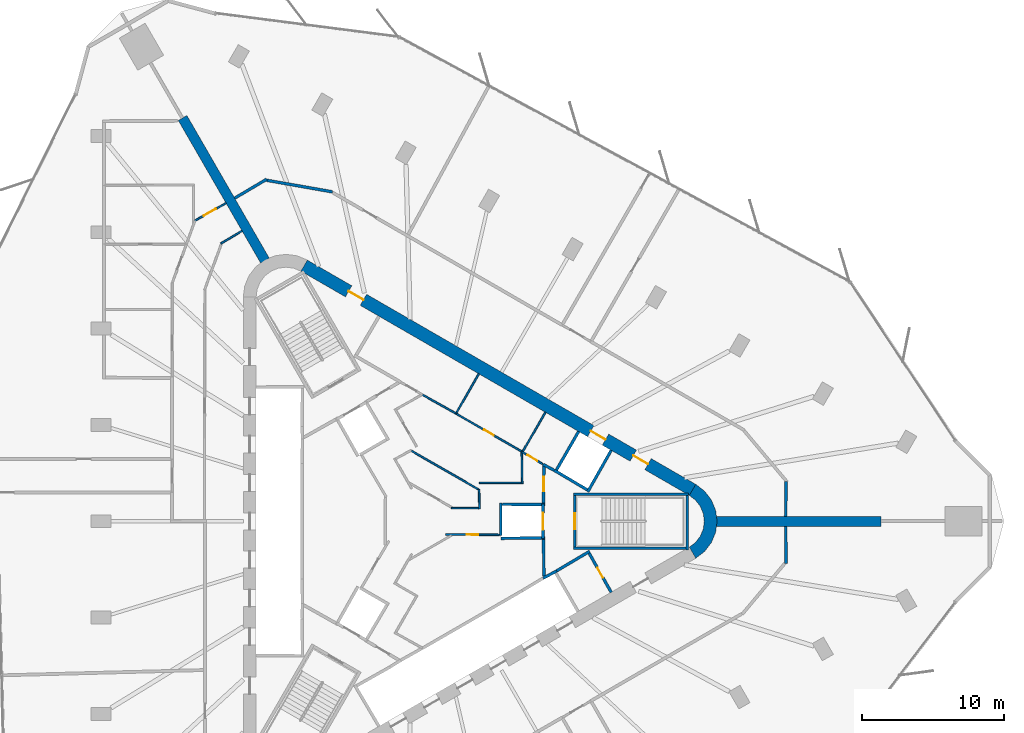
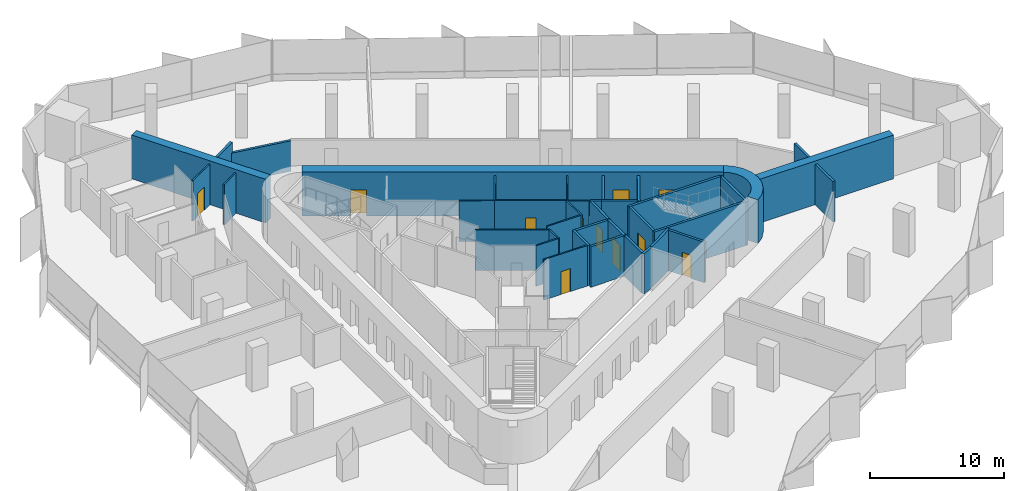
# One storey, part 11 of 14: 38 walls, 11 doors, 11 openings.
"""IFC4 building model written with IfcOpenShell, lengths in metres."""

from ifc_helpers import new_model, si_unit, direction, frame, frame_2d, origin, place, context, subcontext, project, spatial, polyline, rectangle, outline, extrude, material, layer, layer_set, type_object, element, fill, save


model = new_model("IFC4")

# Units and contexts
model_context = context("Model", 3, precision=1e-05, world=origin(), true_north=direction((0.0, 1.0)))
body_context = subcontext(model_context, "Body", "Model", "MODEL_VIEW")
ifc_project = project(units=[si_unit("LENGTHUNIT", "METRE"), si_unit("AREAUNIT", "SQUARE_METRE"), si_unit("VOLUMEUNIT", "CUBIC_METRE"), si_unit("PLANEANGLEUNIT", "RADIAN"), si_unit("MASSUNIT", "GRAM", prefix="KILO")], contexts=[model_context])

# Site, building, storey
site_placement = place(None, origin())
site = spatial("IfcSite", under=ifc_project, at=site_placement, CompositionType="ELEMENT")
building_placement = place(site_placement, origin())
building = spatial("IfcBuilding", under=site, at=building_placement, Name="Tanit Gate Tower", CompositionType="ELEMENT")
storey_placement = place(building_placement, frame((0.0, 0.0, 225.199951171875)))
storey = spatial("IfcBuildingStorey", under=building, at=storey_placement, Name="L50", CompositionType="ELEMENT", Elevation=225.199951171875)

# Walls
ifc_material_1 = material(Name="Concrete C50/60", Category="concrete")
ifc_layer_1 = layer(ifc_material_1, 0.699951171875)
ifc_layer_set_1 = layer_set([ifc_layer_1], Name="BUTTRESS FIN 700 C50/60")
wall_type_1 = type_object("IfcWallType", Name="BUTTRESS FIN 700 C50/60", PredefinedType="SHEAR", material=ifc_layer_set_1)
for number, where, z_axis, x_axis, name in (
    (1, (21.14990234375, 0.0, 0.0), (0.0, 0.0, 1.0), (1.0, 0.0, 0.0), "BUTTRESS FIN"),
    (2, (-10.574951171875, 18.31640625, 0.0), (0.0, 0.0, 1.0), (-0.499998001389, 0.86602655768, 0.0), "BUTTRESS FIN"),
):
    element("IfcWall", number, at=place(storey_placement, frame(where, z_axis=z_axis, x_axis=x_axis)), inside=storey, type_object=wall_type_1, Name=name, PredefinedType="SHEAR", context=body_context, shape_type="SweptSolid", body=[
        extrude(rectangle(XDim=11.5810546875, YDim=0.699951171875, at=frame_2d((5.79052734375, 0.0))), origin(), (0.0, 0.0, 1.0), 4.0),
    ])

# Wall, openings, doors
ifc_material_2 = material(Name="Concrete C50/60", Category="concrete")
ifc_layer_2 = layer(ifc_material_2, 0.89990234375)
ifc_layer_set_2 = layer_set([ifc_layer_2], Name="CORE WALL 900 C50/60")
wall_type_2 = type_object("IfcWallType", Name="CORE WALL 900 C50/60", PredefinedType="SHEAR", material=ifc_layer_set_2)
wall_1_placement = place(storey_placement, frame((19.47509765625, 2.20849609375, 0.0), z_axis=(0.0, 0.0, 1.0), x_axis=(-0.866028369851, 0.499994862586, 0.0)))
wall_1 = element("IfcWall", 3, at=wall_1_placement, inside=storey, type_object=wall_type_2, Name="CORE WALL", PredefinedType="SHEAR", context=body_context, shape_type="SweptSolid", body=[
    extrude(rectangle(XDim=31.523193359375, YDim=0.89990234375, at=frame_2d((15.76171875, 0.0))), origin(), (0.0, 0.0, 1.0), 4.0),
])
opening_1_placement = place(wall_1_placement, frame((7.0615234375, 0.0, 0.0)))
opening_1 = element("IfcOpeningElement", 4, at=opening_1_placement, cuts=wall_1, Name="Opening LDML8-S13", PredefinedType="OPENING", context=body_context, shape_type="SweptSolid", body=[
    extrude(rectangle(XDim=1.199951171875, YDim=2.39990234375, at=frame_2d((0.60009765625, 1.199951171875))), frame((0.0, 0.4599609375, 0.0), z_axis=(0.0, -1.0, 0.0), x_axis=(1.0, 0.0, 0.0)), (0.0, 0.0, 1.0), 0.919921875),
])
opening_2_placement = place(wall_1_placement, frame((3.611572265625, 0.0, 0.0)))
opening_2 = element("IfcOpeningElement", 5, at=opening_2_placement, cuts=wall_1, Name="Opening F12-S13-FL1", PredefinedType="OPENING", context=body_context, shape_type="SweptSolid", body=[
    extrude(rectangle(XDim=1.199951171875, YDim=2.39990234375, at=frame_2d((0.60009765625, 1.199951171875))), frame((0.0, 0.4599609375, 0.0), z_axis=(0.0, -1.0, 0.0), x_axis=(1.0, 0.0, 0.0)), (0.0, 0.0, 1.0), 0.919921875),
])
opening_3_placement = place(wall_1_placement, frame((26.711669921875, 0.0, 0.0)))
opening_3 = element("IfcOpeningElement", 6, at=opening_3_placement, cuts=wall_1, Name="Opening F12-S13-S2", PredefinedType="OPENING", context=body_context, shape_type="SweptSolid", body=[
    extrude(rectangle(XDim=1.199951171875, YDim=2.39990234375, at=frame_2d((0.60009765625, 1.199951171875))), frame((0.0, 0.4599609375, 0.0), z_axis=(0.0, -1.0, 0.0), x_axis=(1.0, 0.0, 0.0)), (0.0, 0.0, 1.0), 0.919921875),
])
ifc_material_3 = material(Name="Fire-rated steel door leaf", Category="steel")
door_type_1 = type_object("IfcDoorType", Name="INT-DOOR-FIRE-LOBBY-1200", OperationType="NOTDEFINED", PredefinedType="USERDEFINED", material=ifc_material_3)
door_1_placement = place(opening_2_placement, origin())
door_1 = element("IfcDoor", 7, at=door_1_placement, inside=storey, type_object=door_type_1, Name="Door F12-S13-FL1", ObjectType="FIRE DOOR", OperationType="SINGLE_SWING_RIGHT", OverallHeight=2.39990234375, OverallWidth=1.199951171875, PredefinedType="USERDEFINED", context=body_context, shape_type="SweptSolid", body=[
    extrude(rectangle(XDim=1.199951171875, YDim=2.39990234375, at=frame_2d((0.60009765625, 1.199951171875))), frame((0.0, 0.02490234375, 0.0), z_axis=(0.0, -1.0, 0.0), x_axis=(1.0, 0.0, 0.0)), (0.0, 0.0, 1.0), 0.050048828125),
])
fill(opening_2, door_1)
door_2_placement = place(opening_3_placement, origin())
door_2 = element("IfcDoor", 8, at=door_2_placement, inside=storey, type_object=door_type_1, Name="Door F12-S13-S2", ObjectType="FIRE DOOR", OperationType="SINGLE_SWING_LEFT", OverallHeight=2.39990234375, OverallWidth=1.199951171875, PredefinedType="USERDEFINED", context=body_context, shape_type="SweptSolid", body=[
    extrude(rectangle(XDim=1.199951171875, YDim=2.39990234375, at=frame_2d((0.60009765625, 1.199951171875))), frame((0.0, 0.02490234375, 0.0), z_axis=(0.0, -1.0, 0.0), x_axis=(1.0, 0.0, 0.0)), (0.0, 0.0, 1.0), 0.050048828125),
])
fill(opening_3, door_2)
ifc_material_4 = material(Name="Stainless steel sliding door leaf", Category="steel")
door_type_2 = type_object("IfcDoorType", Name="INT-DOOR-LANDING-1200", OperationType="NOTDEFINED", PredefinedType="USERDEFINED", material=ifc_material_4)
door_3_placement = place(opening_1_placement, origin())
door_3 = element("IfcDoor", 9, at=door_3_placement, inside=storey, type_object=door_type_2, Name="Door LDML8-S13", ObjectType="LANDING DOOR", OperationType="SLIDING_TO_LEFT", OverallHeight=2.39990234375, OverallWidth=1.199951171875, PredefinedType="USERDEFINED", context=body_context, shape_type="SweptSolid", body=[
    extrude(rectangle(XDim=1.199951171875, YDim=2.39990234375, at=frame_2d((0.60009765625, 1.199951171875))), frame((0.0, 0.02490234375, 0.0), z_axis=(0.0, -1.0, 0.0), x_axis=(1.0, 0.0, 0.0)), (0.0, 0.0, 1.0), 0.050048828125),
])
fill(opening_1, door_3)

# Walls
wall_2_placement = place(storey_placement, origin())
element("IfcWall", 10, at=wall_2_placement, inside=storey, type_object=wall_type_2, Name="CORE WALL CORNER", PredefinedType="SHEAR", context=body_context, shape_type="SweptSolid", body=[
    extrude(outline(polyline([(19.699951171875, -2.59814453125), (20.3212890625, -2.121337890625), (20.798095703125, -1.5), (21.097900390625, -0.776611328125), (21.199951171875, 0.0), (21.097900390625, 0.776611328125), (20.798095703125, 1.5), (20.3212890625, 2.121337890625), (19.699951171875, 2.59814453125), (19.25, 1.818603515625), (19.684814453125, 1.48486328125), (20.018798828125, 1.050048828125), (20.228515625, 0.54345703125), (20.300048828125, 0.0), (20.228515625, -0.54345703125), (20.018798828125, -1.050048828125), (19.684814453125, -1.48486328125), (19.25, -1.818603515625), (19.699951171875, -2.59814453125)])), origin(), (0.0, 0.0, 1.0), 4.0),
])
ifc_material_5 = material(Name="Fire-rated gypsum board partition")
ifc_layer_3 = layer(ifc_material_5, 0.199951171875)
ifc_layer_set_3 = layer_set([ifc_layer_3], Name="INT-WALL-COMPARTMENT")
wall_type_3 = type_object("IfcWallType", Name="INT-WALL-COMPARTMENT", PredefinedType="PARTITIONING", material=ifc_layer_set_3)
wall_3_placement = place(storey_placement, frame((8.97412109375, 3.998779296875, 0.0), z_axis=(0.0, 0.0, 1.0), x_axis=(0.880917147855, -0.473270513147, 0.0)))
element("IfcWall", 11, at=wall_3_placement, inside=storey, type_object=wall_type_3, Name="Wall Compartment W050", PredefinedType="PARTITIONING", context=body_context, shape_type="SweptSolid", body=[
    extrude(rectangle(XDim=0.8779296875, YDim=0.199951171875, at=frame_2d((0.43896484375, 0.0))), origin(), (0.0, 0.0, 1.0), 3.699951171875),
])
wall_4_placement = place(storey_placement, frame((12.244873046875, -2.10888671875, 0.0), z_axis=(0.0, 0.0, 1.0), x_axis=(-0.860414880418, -0.509594185166, 0.0)))
element("IfcWall", 12, at=wall_4_placement, inside=storey, type_object=wall_type_3, Name="Wall Compartment W058", PredefinedType="PARTITIONING", context=body_context, shape_type="SweptSolid", body=[
    extrude(rectangle(XDim=2.7001953125, YDim=0.199951171875, at=frame_2d((1.35009765625, 0.0))), origin(), (0.0, 0.0, 1.0), 3.699951171875),
])

# Wall, opening, door
wall_5_placement = place(storey_placement, frame((13.758056640625, -4.989501953125, 0.0), z_axis=(0.0, 0.0, 1.0), x_axis=(-0.491993409184, 0.87059892334, 0.0)))
wall_5 = element("IfcWall", 13, at=wall_5_placement, inside=storey, type_object=wall_type_3, Name="Wall Compartment W059", PredefinedType="PARTITIONING", context=body_context, shape_type="SweptSolid", body=[
    extrude(rectangle(XDim=3.150146484375, YDim=0.199951171875, at=frame_2d((1.5751953125, 0.0))), origin(), (0.0, 0.0, 1.0), 3.699951171875),
])
opening_4_placement = place(wall_5_placement, frame((1.175048828125, 0.0, 0.0)))
opening_4 = element("IfcOpeningElement", 14, at=opening_4_placement, cuts=wall_5, Name="Opening R08-S13-17", PredefinedType="OPENING", context=body_context, shape_type="SweptSolid", body=[
    extrude(rectangle(XDim=0.800048828125, YDim=2.10009765625, at=frame_2d((0.39990234375, 1.050048828125))), frame((0.0, 0.10986328125, 0.0), z_axis=(0.0, -1.0, 0.0), x_axis=(1.0, 0.0, 0.0)), (0.0, 0.0, 1.0), 0.219970703125),
])
ifc_material_6 = material(Name="Timber door leaf", Category="wood")
door_type_3 = type_object("IfcDoorType", Name="INT-DOOR-RISER-800", OperationType="NOTDEFINED", PredefinedType="USERDEFINED", material=ifc_material_6)
door_4_placement = place(opening_4_placement, origin())
door_4 = element("IfcDoor", 15, at=door_4_placement, inside=storey, type_object=door_type_3, Name="Door R08-S13-17", ObjectType="FIRE DOOR", OperationType="SINGLE_SWING_LEFT", OverallHeight=2.10009765625, OverallWidth=0.800048828125, PredefinedType="USERDEFINED", context=body_context, shape_type="SweptSolid", body=[
    extrude(rectangle(XDim=0.800048828125, YDim=2.10009765625, at=frame_2d((0.39990234375, 1.050048828125))), frame((0.0, 0.02490234375, 0.0), z_axis=(0.0, -1.0, 0.0), x_axis=(1.0, 0.0, 0.0)), (0.0, 0.0, 1.0), 0.050048828125),
])
fill(opening_4, door_4)

# Wall
wall_6_placement = place(storey_placement, frame((9.02880859375, -3.8505859375, 0.0), z_axis=(0.0, 0.0, 1.0), x_axis=(-0.010784614026, 0.999941844359, 0.0)))
element("IfcWall", 16, at=wall_6_placement, inside=storey, type_object=wall_type_3, Name="Wall Compartment W060", PredefinedType="PARTITIONING", context=body_context, shape_type="SweptSolid", body=[
    extrude(rectangle(XDim=2.580810546875, YDim=0.199951171875, at=frame_2d((1.29052734375, 0.0))), origin(), (0.0, 0.0, 1.0), 3.699951171875),
])

# Wall, opening, door
wall_7_placement = place(storey_placement, frame((9.0009765625, 1.27001953125, 0.0), z_axis=(0.0, 0.0, 1.0), x_axis=(0.010728802716, 0.99994244474, 0.0)))
wall_7 = element("IfcWall", 17, at=wall_7_placement, inside=storey, type_object=wall_type_3, Name="Wall Compartment W061", PredefinedType="PARTITIONING", context=body_context, shape_type="SweptSolid", body=[
    extrude(rectangle(XDim=2.7080078125, YDim=0.199951171875, at=frame_2d((1.35400390625, 0.0))), origin(), (0.0, 0.0, 1.0), 3.699951171875),
])
opening_5_placement = place(wall_7_placement, frame((0.848388671875, 0.0, 0.0)))
opening_5 = element("IfcOpeningElement", 18, at=opening_5_placement, cuts=wall_7, Name="Opening F10-S13-02", PredefinedType="OPENING", context=body_context, shape_type="SweptSolid", body=[
    extrude(rectangle(XDim=1.0, YDim=2.10009765625, at=frame_2d((0.5, 1.050048828125))), frame((0.0, 0.10986328125, 0.0), z_axis=(0.0, -1.0, 0.0), x_axis=(1.0, 0.0, 0.0)), (0.0, 0.0, 1.0), 0.219970703125),
])
ifc_material_7 = material(Name="Fire-rated steel door leaf", Category="steel")
door_type_4 = type_object("IfcDoorType", Name="INT-DOOR-FIRE-1000", OperationType="NOTDEFINED", PredefinedType="USERDEFINED", material=ifc_material_7)
door_5_placement = place(opening_5_placement, origin())
door_5 = element("IfcDoor", 19, at=door_5_placement, inside=storey, type_object=door_type_4, Name="Door F10-S13-02", ObjectType="FIRE DOOR", OperationType="SINGLE_SWING_RIGHT", OverallHeight=2.10009765625, OverallWidth=1.0, PredefinedType="USERDEFINED", context=body_context, shape_type="SweptSolid", body=[
    extrude(rectangle(XDim=1.0, YDim=2.10009765625, at=frame_2d((0.5, 1.050048828125))), frame((0.0, 0.02490234375, 0.0), z_axis=(0.0, -1.0, 0.0), x_axis=(1.0, 0.0, 0.0)), (0.0, 0.0, 1.0), 0.050048828125),
])
fill(opening_5, door_5)

# Walls
wall_8_placement = place(storey_placement, frame((-10.449462890625, 24.0439453125, 0.0), z_axis=(0.0, 0.0, 1.0), x_axis=(-0.860744847861, -0.509036645912, 0.0)))
element("IfcWall", 20, at=wall_8_placement, inside=storey, type_object=wall_type_3, Name="Wall Compartment W102", PredefinedType="PARTITIONING", context=body_context, shape_type="SweptSolid", body=[
    extrude(rectangle(XDim=2.62255859375, YDim=0.199951171875, at=frame_2d((1.311279296875, 0.0))), origin(), (0.0, 0.0, 1.0), 3.699951171875),
])
wall_9_placement = place(storey_placement, frame((-5.833740234375, 23.153076171875, 0.0), z_axis=(0.0, 0.0, 1.0), x_axis=(-0.98481258102, 0.173620794447, 0.0)))
element("IfcWall", 21, at=wall_9_placement, inside=storey, type_object=wall_type_3, Name="Wall Compartment W103", PredefinedType="PARTITIONING", context=body_context, shape_type="SweptSolid", body=[
    extrude(rectangle(XDim=4.740234375, YDim=0.199951171875, at=frame_2d((2.3701171875, 0.0))), origin(), (0.0, 0.0, 1.0), 2.780029296875),
])
wall_10_placement = place(storey_placement, frame((26.019775390625, 0.35009765625, 0.0), z_axis=(0.0, 0.0, 1.0), x_axis=(0.010532007244, 0.999944536874, 0.0)))
element("IfcWall", 22, at=wall_10_placement, inside=storey, type_object=wall_type_3, Name="Wall Compartment W108", PredefinedType="PARTITIONING", context=body_context, shape_type="SweptSolid", body=[
    extrude(rectangle(XDim=2.457275390625, YDim=0.199951171875, at=frame_2d((1.228515625, 0.0))), origin(), (0.0, 0.0, 1.0), 3.699951171875),
])
wall_11_placement = place(storey_placement, frame((26.04736328125, -2.972412109375, 0.0), z_axis=(0.0, 0.0, 1.0), x_axis=(-0.010519853563, 0.99994466481, 0.0)))
element("IfcWall", 23, at=wall_11_placement, inside=storey, type_object=wall_type_3, Name="Wall Compartment W110", PredefinedType="PARTITIONING", context=body_context, shape_type="SweptSolid", body=[
    extrude(rectangle(XDim=2.62255859375, YDim=0.199951171875, at=frame_2d((1.311279296875, 0.0))), origin(), (0.0, 0.0, 1.0), 3.699951171875),
])
ifc_material_8 = material(Name="Gypsum board partition")
ifc_layer_4 = layer(ifc_material_8, 0.1201171875)
ifc_layer_set_4 = layer_set([ifc_layer_4], Name="INT-WALL-PARTITION")
wall_type_4 = type_object("IfcWallType", Name="INT-WALL-PARTITION", PredefinedType="PARTITIONING", material=ifc_layer_set_4)
wall_12_placement = place(storey_placement, frame((7.50830078125, 4.844970703125, 0.0), z_axis=(0.0, 0.0, 1.0), x_axis=(0.500017246033, 0.866015446554, 0.0)))
element("IfcWall", 24, at=wall_12_placement, inside=storey, type_object=wall_type_4, Name="Wall Partition W049", PredefinedType="PARTITIONING", context=body_context, shape_type="SweptSolid", body=[
    extrude(rectangle(XDim=3.25, YDim=0.1201171875, at=frame_2d((1.625, 0.0))), origin(), (0.0, 0.0, 1.0), 3.699951171875),
])

# Wall, opening, door
wall_13_placement = place(storey_placement, frame((7.4931640625, 4.87841796875, 0.0), z_axis=(0.0, 0.0, 1.0), x_axis=(0.8599829515, -0.510322763679, 0.0)))
wall_13 = element("IfcWall", 25, at=wall_13_placement, inside=storey, type_object=wall_type_4, Name="Wall Partition W051", PredefinedType="PARTITIONING", context=body_context, shape_type="SweptSolid", body=[
    extrude(rectangle(XDim=1.671630859375, YDim=0.1201171875, at=frame_2d((0.8359375, 0.0))), origin(), (0.0, 0.0, 1.0), 3.699951171875),
])
opening_6_placement = place(wall_13_placement, frame((0.435791015625, 0.0, 0.0)))
opening_6 = element("IfcOpeningElement", 26, at=opening_6_placement, cuts=wall_13, Name="Opening R08-S13-14", PredefinedType="OPENING", context=body_context, shape_type="SweptSolid", body=[
    extrude(rectangle(XDim=0.800048828125, YDim=2.10009765625, at=frame_2d((0.39990234375, 1.050048828125))), frame((0.0, 0.070068359375, 0.0), z_axis=(0.0, -1.0, 0.0), x_axis=(1.0, 0.0, 0.0)), (0.0, 0.0, 1.0), 0.14013671875),
])
door_6_placement = place(opening_6_placement, origin())
door_6 = element("IfcDoor", 27, at=door_6_placement, inside=storey, type_object=door_type_3, Name="Door R08-S13-14", ObjectType="FIRE DOOR", OperationType="SINGLE_SWING_LEFT", OverallHeight=2.10009765625, OverallWidth=0.800048828125, PredefinedType="USERDEFINED", context=body_context, shape_type="SweptSolid", body=[
    extrude(rectangle(XDim=0.800048828125, YDim=2.10009765625, at=frame_2d((0.39990234375, 1.050048828125))), frame((0.0, 0.02490234375, 0.0), z_axis=(0.0, -1.0, 0.0), x_axis=(1.0, 0.0, 0.0)), (0.0, 0.0, 1.0), 0.050048828125),
])
fill(opening_6, door_6)

# Wall
wall_14_placement = place(storey_placement, frame((2.831787109375, 7.544921875, 0.0), z_axis=(0.0, 0.0, 1.0), x_axis=(0.500017246033, 0.866015446554, 0.0)))
element("IfcWall", 28, at=wall_14_placement, inside=storey, type_object=wall_type_4, Name="Wall Partition W052", PredefinedType="PARTITIONING", context=body_context, shape_type="SweptSolid", body=[
    extrude(rectangle(XDim=3.25, YDim=0.1201171875, at=frame_2d((1.625, 0.0))), origin(), (0.0, 0.0, 1.0), 3.699951171875),
])

# Wall, opening, door
wall_15_placement = place(storey_placement, frame((7.497314453125, 4.885986328125, 0.0), z_axis=(0.0, 0.0, 1.0), x_axis=(-0.866028230842, 0.499995103361, 0.0)))
wall_15 = element("IfcWall", 29, at=wall_15_placement, inside=storey, type_object=wall_type_4, Name="Wall Partition W053", PredefinedType="PARTITIONING", context=body_context, shape_type="SweptSolid", body=[
    extrude(rectangle(XDim=5.39990234375, YDim=0.1201171875, at=frame_2d((2.699951171875, 0.0))), origin(), (0.0, 0.0, 1.0), 3.699951171875),
])
opening_7_placement = place(wall_15_placement, frame((2.300048828125, 0.0, 0.0)))
opening_7 = element("IfcOpeningElement", 30, at=opening_7_placement, cuts=wall_15, Name="Opening R08-S13-15", PredefinedType="OPENING", context=body_context, shape_type="SweptSolid", body=[
    extrude(rectangle(XDim=0.800048828125, YDim=2.10009765625, at=frame_2d((0.39990234375, 1.050048828125))), frame((0.0, 0.070068359375, 0.0), z_axis=(0.0, -1.0, 0.0), x_axis=(1.0, 0.0, 0.0)), (0.0, 0.0, 1.0), 0.14013671875),
])
door_7_placement = place(opening_7_placement, origin())
door_7 = element("IfcDoor", 31, at=door_7_placement, inside=storey, type_object=door_type_3, Name="Door R08-S13-15", ObjectType="FIRE DOOR", OperationType="SINGLE_SWING_LEFT", OverallHeight=2.10009765625, OverallWidth=0.800048828125, PredefinedType="USERDEFINED", context=body_context, shape_type="SweptSolid", body=[
    extrude(rectangle(XDim=0.800048828125, YDim=2.10009765625, at=frame_2d((0.39990234375, 1.050048828125))), frame((0.0, 0.02490234375, 0.0), z_axis=(0.0, -1.0, 0.0), x_axis=(1.0, 0.0, 0.0)), (0.0, 0.0, 1.0), 0.050048828125),
])
fill(opening_7, door_7)

# Wall
wall_16_placement = place(storey_placement, frame((2.82080078125, 7.5859375, 0.0), z_axis=(0.0, 0.0, 1.0), x_axis=(-0.871426548871, 0.490526013503, 0.0)))
element("IfcWall", 32, at=wall_16_placement, inside=storey, type_object=wall_type_4, Name="Wall Partition W056", PredefinedType="PARTITIONING", context=body_context, shape_type="SweptSolid", body=[
    extrude(rectangle(XDim=2.670166015625, YDim=0.1201171875, at=frame_2d((1.3349609375, 0.0))), origin(), (0.0, 0.0, 1.0), 3.699951171875),
])

# Wall, opening, door
wall_17_placement = place(storey_placement, frame((5.89990234375, -0.953857421875, 0.0), z_axis=(0.0, 0.0, 1.0), x_axis=(-0.999970929415, 0.00762498027, 0.0)))
wall_17 = element("IfcWall", 33, at=wall_17_placement, inside=storey, type_object=wall_type_4, Name="Wall Partition W074", PredefinedType="PARTITIONING", context=body_context, shape_type="SweptSolid", body=[
    extrude(rectangle(XDim=3.778076171875, YDim=0.1201171875, at=frame_2d((1.88916015625, 0.0))), origin(), (0.0, 0.0, 1.0), 3.699951171875),
])
opening_8_placement = place(wall_17_placement, frame((1.4892578125, 0.0, 0.0)))
opening_8 = element("IfcOpeningElement", 34, at=opening_8_placement, cuts=wall_17, Name="Opening R08-S13-11", PredefinedType="OPENING", context=body_context, shape_type="SweptSolid", body=[
    extrude(rectangle(XDim=0.800048828125, YDim=2.10009765625, at=frame_2d((0.39990234375, 1.050048828125))), frame((0.0, 0.070068359375, 0.0), z_axis=(0.0, -1.0, 0.0), x_axis=(1.0, 0.0, 0.0)), (0.0, 0.0, 1.0), 0.14013671875),
])
door_8_placement = place(opening_8_placement, origin())
door_8 = element("IfcDoor", 35, at=door_8_placement, inside=storey, type_object=door_type_3, Name="Door R08-S13-11", ObjectType="FIRE DOOR", OperationType="SINGLE_SWING_RIGHT", OverallHeight=2.10009765625, OverallWidth=0.800048828125, PredefinedType="USERDEFINED", context=body_context, shape_type="SweptSolid", body=[
    extrude(rectangle(XDim=0.800048828125, YDim=2.10009765625, at=frame_2d((0.39990234375, 1.050048828125))), frame((0.0, 0.02490234375, 0.0), z_axis=(0.0, -1.0, 0.0), x_axis=(1.0, 0.0, 0.0)), (0.0, 0.0, 1.0), 0.050048828125),
])
fill(opening_8, door_8)

# Walls
wall_18_placement = place(storey_placement, frame((-0.350830078125, 4.99365234375, 0.0), z_axis=(0.0, 0.0, 1.0), x_axis=(0.866277754418, -0.499562660935, 0.0)))
element("IfcWall", 36, at=wall_18_placement, inside=storey, type_object=wall_type_4, Name="Wall Partition W075", PredefinedType="PARTITIONING", context=body_context, shape_type="SweptSolid", body=[
    extrude(rectangle(XDim=5.599609375, YDim=0.1201171875, at=frame_2d((2.7998046875, 0.0))), origin(), (0.0, 0.0, 1.0), 3.699951171875),
])
wall_19_placement = place(storey_placement, frame((4.501220703125, 0.864990234375, 0.0), z_axis=(0.0, 0.0, 1.0), x_axis=(-0.022315079617, 0.999750987607, 0.0)))
element("IfcWall", 37, at=wall_19_placement, inside=storey, type_object=wall_type_4, Name="Wall Partition W076", PredefinedType="PARTITIONING", context=body_context, shape_type="SweptSolid", body=[
    extrude(rectangle(XDim=1.37841796875, YDim=0.1201171875, at=frame_2d((0.689208984375, 0.0))), origin(), (0.0, 0.0, 1.0), 3.699951171875),
])
wall_20_placement = place(storey_placement, frame((2.5302734375, 0.925048828125, 0.0), z_axis=(0.0, 0.0, 1.0), x_axis=(1.0, 0.0, 0.0)))
element("IfcWall", 38, at=wall_20_placement, inside=storey, type_object=wall_type_4, Name="Wall Partition W077", PredefinedType="PARTITIONING", context=body_context, shape_type="SweptSolid", body=[
    extrude(rectangle(XDim=1.90966796875, YDim=0.1201171875, at=frame_2d((0.954833984375, 0.0))), origin(), (0.0, 0.0, 1.0), 3.699951171875),
])
wall_21_placement = place(storey_placement, frame((7.500732421875, 2.639892578125, 0.0), z_axis=(0.0, 0.0, 1.0), x_axis=(-0.01174194727, 0.999931060961, 0.0)))
element("IfcWall", 39, at=wall_21_placement, inside=storey, type_object=wall_type_4, Name="Wall Partition W083", PredefinedType="PARTITIONING", context=body_context, shape_type="SweptSolid", body=[
    extrude(rectangle(XDim=2.224853515625, YDim=0.1201171875, at=frame_2d((1.1123046875, 0.0))), origin(), (0.0, 0.0, 1.0), 3.699951171875),
])
wall_22_placement = place(storey_placement, frame((4.5, 2.699951171875, 0.0), z_axis=(0.0, 0.0, 1.0), x_axis=(1.0, 0.0, 0.0)))
element("IfcWall", 40, at=wall_22_placement, inside=storey, type_object=wall_type_4, Name="Wall Partition W084", PredefinedType="PARTITIONING", context=body_context, shape_type="SweptSolid", body=[
    extrude(rectangle(XDim=2.93994140625, YDim=0.1201171875, at=frame_2d((1.469970703125, 0.0))), origin(), (0.0, 0.0, 1.0), 3.699951171875),
])
wall_23_placement = place(storey_placement, frame((-12.188720703125, 20.411376953125, 0.0), z_axis=(0.0, 0.0, 1.0), x_axis=(-0.858492721014, -0.51282574815, 0.0)))
element("IfcWall", 41, at=wall_23_placement, inside=storey, type_object=wall_type_4, Name="Wall Partition W085", PredefinedType="PARTITIONING", context=body_context, shape_type="SweptSolid", body=[
    extrude(rectangle(XDim=1.742431640625, YDim=0.1201171875, at=frame_2d((0.87109375, 0.0))), origin(), (0.0, 0.0, 1.0), 3.699951171875),
])

# Wall, opening, door
wall_24_placement = place(storey_placement, frame((-13.31298828125, 22.35888671875, 0.0), z_axis=(0.0, 0.0, 1.0), x_axis=(-0.87126053708, -0.490820819167, 0.0)))
wall_24 = element("IfcWall", 42, at=wall_24_placement, inside=storey, type_object=wall_type_4, Name="Wall Partition W096", PredefinedType="PARTITIONING", context=body_context, shape_type="SweptSolid", body=[
    extrude(rectangle(XDim=2.505859375, YDim=0.1201171875, at=frame_2d((1.2529296875, 0.0))), origin(), (0.0, 0.0, 1.0), 3.699951171875),
])
opening_9_placement = place(wall_24_placement, frame((0.802978515625, 0.0, 0.0)))
opening_9 = element("IfcOpeningElement", 43, at=opening_9_placement, cuts=wall_24, Name="Opening D10-S13-25", PredefinedType="OPENING", context=body_context, shape_type="SweptSolid", body=[
    extrude(rectangle(XDim=1.0, YDim=2.10009765625, at=frame_2d((0.5, 1.050048828125))), frame((0.0, 0.070068359375, 0.0), z_axis=(0.0, -1.0, 0.0), x_axis=(1.0, 0.0, 0.0)), (0.0, 0.0, 1.0), 0.14013671875),
])
ifc_material_9 = material(Name="Timber door leaf", Category="wood")
door_type_5 = type_object("IfcDoorType", Name="INT-DOOR-SINGLE-1000", OperationType="NOTDEFINED", PredefinedType="NOTDEFINED", material=ifc_material_9)
door_9_placement = place(opening_9_placement, origin())
door_9 = element("IfcDoor", 44, at=door_9_placement, inside=storey, type_object=door_type_5, Name="Door D10-S13-25", OperationType="SINGLE_SWING_RIGHT", OverallHeight=2.10009765625, OverallWidth=1.0, PredefinedType="NOTDEFINED", context=body_context, shape_type="SweptSolid", body=[
    extrude(rectangle(XDim=1.0, YDim=2.10009765625, at=frame_2d((0.5, 1.050048828125))), frame((0.0, 0.02490234375, 0.0), z_axis=(0.0, -1.0, 0.0), x_axis=(1.0, 0.0, 0.0)), (0.0, 0.0, 1.0), 0.050048828125),
])
fill(opening_9, door_9)

# Walls
ifc_material_10 = material(Name="Gypsum shaft wall system")
ifc_layer_5 = layer(ifc_material_10, 0.199951171875)
ifc_layer_set_5 = layer_set([ifc_layer_5], Name="INT-WALL-SHAFT")
wall_type_5 = type_object("IfcWallType", Name="INT-WALL-SHAFT", PredefinedType="PLUMBINGWALL", material=ifc_layer_set_5)
wall_25_placement = place(storey_placement, frame((9.8466796875, 3.494873046875, 0.0), z_axis=(0.0, 0.0, 1.0), x_axis=(0.499984717929, 0.866034226713, 0.0)))
element("IfcWall", 45, at=wall_25_placement, inside=storey, type_object=wall_type_5, Name="Wall Shaft W012", PredefinedType="PLUMBINGWALL", context=body_context, shape_type="SweptSolid", body=[
    extrude(rectangle(XDim=3.25, YDim=0.199951171875, at=frame_2d((1.625, 0.0))), origin(), (0.0, 0.0, 1.0), 3.699951171875),
])
wall_26_placement = place(storey_placement, frame((12.10986328125, 2.07275390625, 0.0), z_axis=(0.0, 0.0, 1.0), x_axis=(0.49196600604, 0.870614408852, 0.0)))
element("IfcWall", 46, at=wall_26_placement, inside=storey, type_object=wall_type_5, Name="Wall Shaft W013", PredefinedType="PLUMBINGWALL", context=body_context, shape_type="SweptSolid", body=[
    extrude(rectangle(XDim=3.35009765625, YDim=0.199951171875, at=frame_2d((1.675048828125, 0.0))), origin(), (0.0, 0.0, 1.0), 3.699951171875),
])
wall_27_placement = place(storey_placement, frame((12.072998046875, 2.2109375, 0.0), z_axis=(0.0, 0.0, 1.0), x_axis=(-0.860414880418, 0.509594185166, 0.0)))
element("IfcWall", 47, at=wall_27_placement, inside=storey, type_object=wall_type_5, Name="Wall Shaft W014", PredefinedType="PLUMBINGWALL", context=body_context, shape_type="SweptSolid", body=[
    extrude(rectangle(XDim=2.7001953125, YDim=0.199951171875, at=frame_2d((1.35009765625, 0.0))), origin(), (0.0, 0.0, 1.0), 3.699951171875),
])
wall_28_placement = place(storey_placement, frame((8.97412109375, -3.998779296875, 0.0), z_axis=(0.0, 0.0, 1.0), x_axis=(0.880907015104, 0.473289373154, 0.0)))
element("IfcWall", 48, at=wall_28_placement, inside=storey, type_object=wall_type_5, Name="Wall Shaft W017", PredefinedType="PLUMBINGWALL", context=body_context, shape_type="SweptSolid", body=[
    extrude(rectangle(XDim=1.078125, YDim=0.199951171875, at=frame_2d((0.5390625, 0.0))), origin(), (0.0, 0.0, 1.0), 3.699951171875),
])

# Wall, opening, door
wall_29_placement = place(storey_placement, frame((8.969970703125, 1.199951171875, 0.0), z_axis=(0.0, 0.0, 1.0), x_axis=(0.0, -1.0, 0.0)))
wall_29 = element("IfcWall", 49, at=wall_29_placement, inside=storey, type_object=wall_type_5, Name="Wall Shaft W029", PredefinedType="PLUMBINGWALL", context=body_context, shape_type="SweptSolid", body=[
    extrude(rectangle(XDim=2.39990234375, YDim=0.199951171875, at=frame_2d((1.199951171875, 0.0))), origin(), (0.0, 0.0, 1.0), 3.699951171875),
])
opening_10_placement = place(wall_29_placement, frame((0.60009765625, 0.0, 0.0)))
opening_10 = element("IfcOpeningElement", 50, at=opening_10_placement, cuts=wall_29, Name="Opening LDFL1-L50", PredefinedType="OPENING", context=body_context, shape_type="SweptSolid", body=[
    extrude(rectangle(XDim=1.199951171875, YDim=2.39990234375, at=frame_2d((0.60009765625, 1.199951171875))), frame((0.0, 0.10986328125, 0.0), z_axis=(0.0, -1.0, 0.0), x_axis=(1.0, 0.0, 0.0)), (0.0, 0.0, 1.0), 0.219970703125),
])
door_10_placement = place(opening_10_placement, origin())
door_10 = element("IfcDoor", 51, at=door_10_placement, inside=storey, type_object=door_type_2, Name="Door LDFL1-L50", ObjectType="LANDING DOOR", OperationType="SLIDING_TO_LEFT", OverallHeight=2.39990234375, OverallWidth=1.199951171875, PredefinedType="USERDEFINED", context=body_context, shape_type="SweptSolid", body=[
    extrude(rectangle(XDim=1.199951171875, YDim=2.39990234375, at=frame_2d((0.60009765625, 1.199951171875))), frame((0.0, 0.02490234375, 0.0), z_axis=(0.0, -1.0, 0.0), x_axis=(1.0, 0.0, 0.0)), (0.0, 0.0, 1.0), 0.050048828125),
])
fill(opening_10, door_10)

# Walls
wall_30_placement = place(storey_placement, frame((9.10009765625, -1.1689453125, 0.0), z_axis=(0.0, 0.0, 1.0), x_axis=(-0.999949988, -0.010001074852, 0.0)))
element("IfcWall", 52, at=wall_30_placement, inside=storey, type_object=wall_type_5, Name="Wall Shaft W030", PredefinedType="PLUMBINGWALL", context=body_context, shape_type="SweptSolid", body=[
    extrude(rectangle(XDim=3.100341796875, YDim=0.199951171875, at=frame_2d((1.55029296875, 0.0))), origin(), (0.0, 0.0, 1.0), 3.699951171875),
])
wall_31_placement = place(storey_placement, frame((6.0, -1.014404296875, 0.0), z_axis=(0.0, 0.0, 1.0), x_axis=(0.0, 1.0, 0.0)))
element("IfcWall", 53, at=wall_31_placement, inside=storey, type_object=wall_type_5, Name="Wall Shaft W031", PredefinedType="PLUMBINGWALL", context=body_context, shape_type="SweptSolid", body=[
    extrude(rectangle(XDim=2.314453125, YDim=0.199951171875, at=frame_2d((1.1572265625, 0.0))), origin(), (0.0, 0.0, 1.0), 3.699951171875),
])
wall_32_placement = place(storey_placement, frame((9.10009765625, 1.1689453125, 0.0), z_axis=(0.0, 0.0, 1.0), x_axis=(-0.99994990606, 0.010009264196, 0.0)))
element("IfcWall", 54, at=wall_32_placement, inside=storey, type_object=wall_type_5, Name="Wall Shaft W032", PredefinedType="PLUMBINGWALL", context=body_context, shape_type="SweptSolid", body=[
    extrude(rectangle(XDim=3.000244140625, YDim=0.199951171875, at=frame_2d((1.5, 0.0))), origin(), (0.0, 0.0, 1.0), 3.699951171875),
])
ifc_material_11 = material(Name="Concrete C40/50", Category="concrete")
ifc_layer_6 = layer(ifc_material_11, 0.199951171875)
ifc_layer_set_6 = layer_set([ifc_layer_6], Name="INT-WALL-STAIR")
wall_type_6 = type_object("IfcWallType", Name="INT-WALL-STAIR", PredefinedType="SHEAR", material=ifc_layer_set_6)
wall_33_placement = place(storey_placement, frame((19.199951171875, 1.89990234375, -0.300048828125), z_axis=(0.0, 0.0, 1.0), x_axis=(-1.0, 0.0, 0.0)))
element("IfcWall", 55, at=wall_33_placement, inside=storey, type_object=wall_type_6, Name="Wall Stair W025", PredefinedType="SHEAR", context=body_context, shape_type="SweptSolid", body=[
    extrude(rectangle(XDim=8.099853515625, YDim=0.199951171875, at=frame_2d((4.0498046875, 0.0))), origin(), (0.0, 0.0, 1.0), 4.0),
])
wall_34_placement = place(storey_placement, frame((19.10009765625, -2.0, -0.300048828125), z_axis=(0.0, 0.0, 1.0), x_axis=(0.0, 1.0, 0.0)))
element("IfcWall", 56, at=wall_34_placement, inside=storey, type_object=wall_type_6, Name="Wall Stair W026", PredefinedType="SHEAR", context=body_context, shape_type="SweptSolid", body=[
    extrude(rectangle(XDim=3.800048828125, YDim=0.199951171875, at=frame_2d((1.89990234375, 0.0))), origin(), (0.0, 0.0, 1.0), 4.0),
])
wall_35_placement = place(storey_placement, frame((11.10009765625, -1.89990234375, -0.300048828125), z_axis=(0.0, 0.0, 1.0), x_axis=(1.0, 0.0, 0.0)))
element("IfcWall", 57, at=wall_35_placement, inside=storey, type_object=wall_type_6, Name="Wall Stair W027", PredefinedType="SHEAR", context=body_context, shape_type="SweptSolid", body=[
    extrude(rectangle(XDim=7.89990234375, YDim=0.199951171875, at=frame_2d((3.949951171875, 0.0))), origin(), (0.0, 0.0, 1.0), 4.0),
])

# Wall, opening, door
wall_36_placement = place(storey_placement, frame((11.199951171875, -1.800048828125, -0.300048828125), z_axis=(0.0, 0.0, 1.0), x_axis=(0.0, 1.0, 0.0)))
wall_36 = element("IfcWall", 58, at=wall_36_placement, inside=storey, type_object=wall_type_6, Name="Wall Stair W028", PredefinedType="SHEAR", context=body_context, shape_type="SweptSolid", body=[
    extrude(rectangle(XDim=3.60009765625, YDim=0.199951171875, at=frame_2d((1.800048828125, 0.0))), origin(), (0.0, 0.0, 1.0), 4.0),
])
opening_11_placement = place(wall_36_placement, frame((1.25, 0.0, 0.300048828125)))
opening_11 = element("IfcOpeningElement", 59, at=opening_11_placement, cuts=wall_36, Name="Opening S11-S13-01", PredefinedType="OPENING", context=body_context, shape_type="SweptSolid", body=[
    extrude(rectangle(XDim=1.10009765625, YDim=2.10009765625, at=frame_2d((0.550048828125, 1.050048828125))), frame((0.0, 0.10986328125, 0.0), z_axis=(0.0, -1.0, 0.0), x_axis=(1.0, 0.0, 0.0)), (0.0, 0.0, 1.0), 0.219970703125),
])
ifc_material_12 = material(Name="Timber door leaf", Category="wood")
door_type_6 = type_object("IfcDoorType", Name="INT-DOOR-STAIR-1100", OperationType="NOTDEFINED", PredefinedType="USERDEFINED", material=ifc_material_12)
door_11_placement = place(opening_11_placement, origin())
door_11 = element("IfcDoor", 60, at=door_11_placement, inside=storey, type_object=door_type_6, Name="Door S11-S13-01", ObjectType="FIRE DOOR", OperationType="SINGLE_SWING_RIGHT", OverallHeight=2.10009765625, OverallWidth=1.10009765625, PredefinedType="USERDEFINED", context=body_context, shape_type="SweptSolid", body=[
    extrude(rectangle(XDim=1.10009765625, YDim=2.10009765625, at=frame_2d((0.550048828125, 1.050048828125))), frame((0.0, 0.02490234375, 0.0), z_axis=(0.0, -1.0, 0.0), x_axis=(1.0, 0.0, 0.0)), (0.0, 0.0, 1.0), 0.050048828125),
])
fill(opening_11, door_11)

save(model, "model.ifc")
